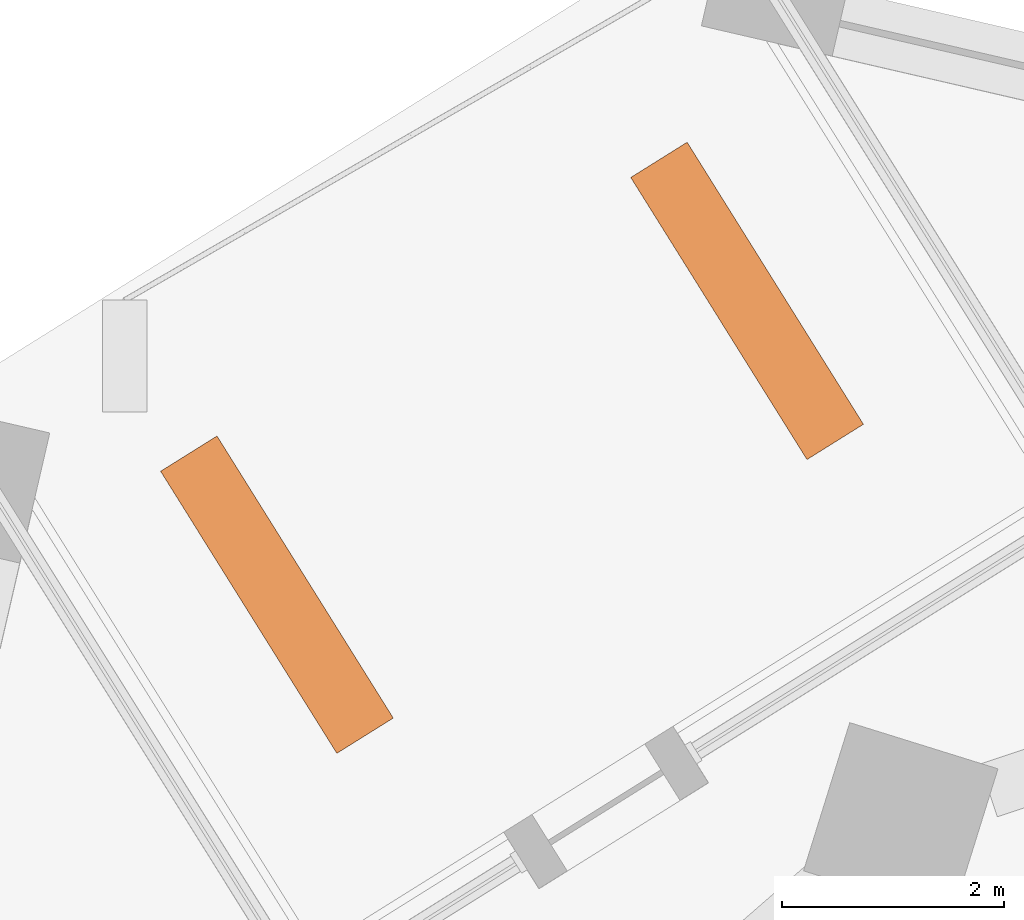
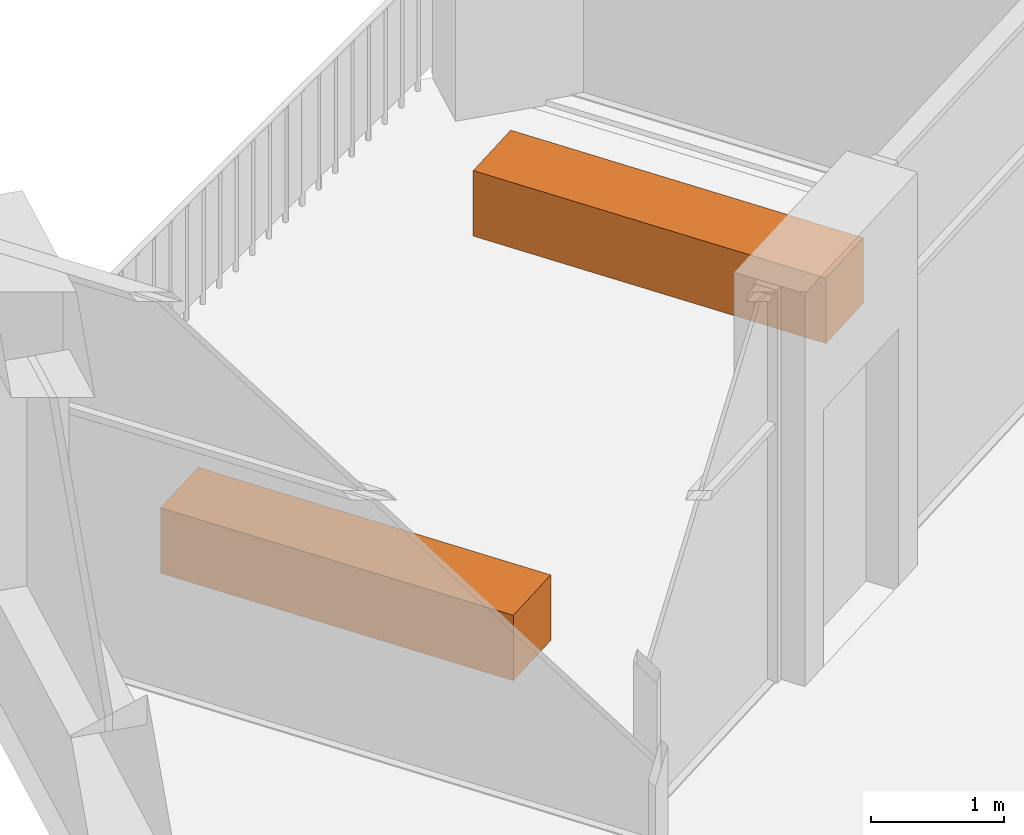
# One storey, part 14 of 14: 2 proxies.
"""IFC4 building model written with IfcOpenShell, lengths in metres."""

from ifc_helpers import new_model, si_unit, direction, frame, origin, origin_2d, place, context, subcontext, project, spatial, rectangle, extrude, element, save


model = new_model("IFC4")

# Units and contexts
model_context = context("Model", 3, precision=1e-05, world=origin(), true_north=direction((0.0, 1.0)))
body_context = subcontext(model_context, "Body", "Model", "MODEL_VIEW")
ifc_project = project(units=[si_unit("LENGTHUNIT", "METRE"), si_unit("AREAUNIT", "SQUARE_METRE"), si_unit("VOLUMEUNIT", "CUBIC_METRE"), si_unit("PLANEANGLEUNIT", "RADIAN"), si_unit("MASSUNIT", "GRAM", prefix="KILO")], contexts=[model_context])

# Site, building, storey
site_placement = place(None, origin())
site = spatial("IfcSite", under=ifc_project, at=site_placement, CompositionType="ELEMENT")
building_placement = place(site_placement, origin())
building = spatial("IfcBuilding", under=site, at=building_placement, Name="Dilmun Exchange Tower", CompositionType="ELEMENT")
storey_placement = place(building_placement, frame((0.0, 0.0, 336.5)))
storey = spatial("IfcBuildingStorey", under=building, at=storey_placement, Name="L80", CompositionType="ELEMENT", Elevation=336.5)

# Proxies
for number, where, z_axis, x_axis, name in (
    (1, (-13.923095703125, 31.002197265625, 0.0), (0.0, 0.0, 1.0), (-0.529919264233, 0.848048096156, 0.0), "PLANTER Desert shrub L80.1"),
    (2, (-18.163330078125, 28.352783203125, 0.0), (0.0, 0.0, 1.0), (-0.529919264233, 0.848048096156, 0.0), "PLANTER Desert shrub L80.2"),
):
    element("IfcBuildingElementProxy", number, at=place(storey_placement, frame(where, z_axis=z_axis, x_axis=x_axis)), inside=storey, Name=name, ObjectType="PLANTER", PredefinedType="USERDEFINED", context=body_context, shape_type="SweptSolid", body=[
        extrude(rectangle(XDim=3.0, YDim=0.60009765625, at=origin_2d()), origin(), (0.0, 0.0, 1.0), 0.60009765625),
    ])

save(model, "model.ifc")
